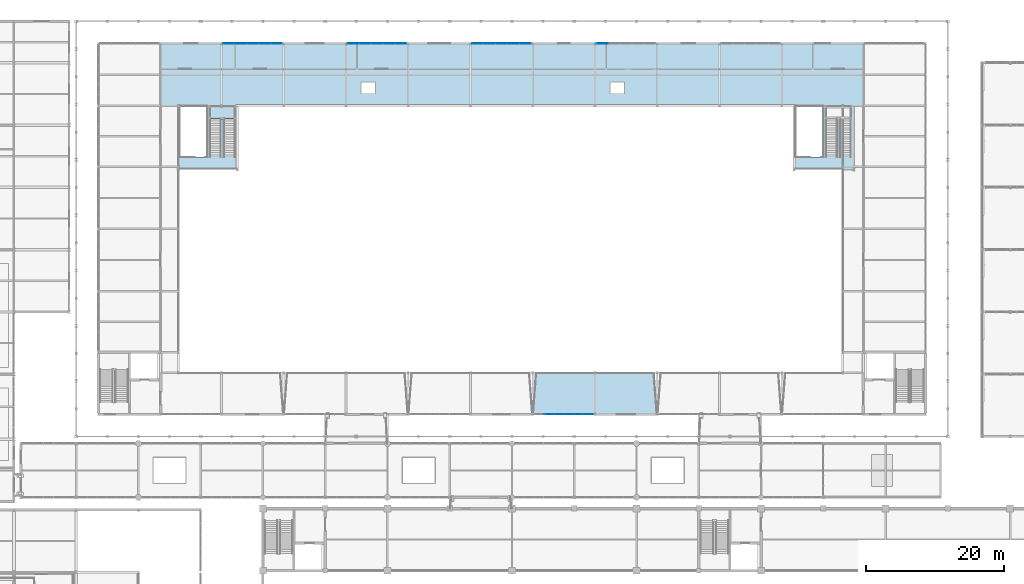
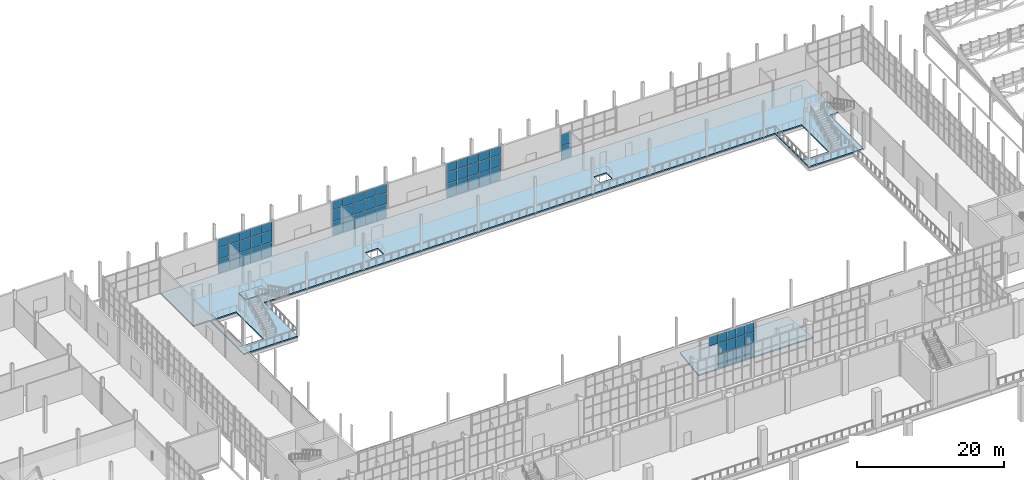
# One storey, part 106 of 159: 60 plates, 3 slabs, 6 elements without a shape of their own.
"""IFC4 building model written with IfcOpenShell, lengths in metres."""

from ifc_helpers import new_model, si_unit, direction, frame, origin, origin_2d, place, context, subcontext, project, spatial, polyline, rectangle, outline, extrude, material, layer, layer_set, type_object, element, aggregate, save


model = new_model("IFC4")

# Units and contexts
model_context = context("Model", 3, precision=1e-05, world=origin(), true_north=direction((0.0, 1.0)))
body_context = subcontext(model_context, "Body", "Model", "MODEL_VIEW")
ifc_project = project(units=[si_unit("LENGTHUNIT", "METRE"), si_unit("AREAUNIT", "SQUARE_METRE"), si_unit("VOLUMEUNIT", "CUBIC_METRE"), si_unit("PLANEANGLEUNIT", "RADIAN"), si_unit("MASSUNIT", "GRAM", prefix="KILO")], contexts=[model_context])

# Site, building, storey
site_placement = place(None, origin())
site = spatial("IfcSite", under=ifc_project, at=site_placement, CompositionType="ELEMENT")
building_placement = place(site_placement, origin())
building = spatial("IfcBuilding", under=site, at=building_placement, Name="Cazmaro Siding Exhibition Halls", CompositionType="ELEMENT")
storey_placement = place(building_placement, frame((0.0, 0.0, 6.0)))
storey = spatial("IfcBuildingStorey", under=building, at=storey_placement, Name="L01", CompositionType="ELEMENT", Elevation=6.0)

# Curtain wall, plates
ifc_material_1 = material(Name="Anodized Bronze Aluminum and Solar-Control Low-E Glazing", Category="aluminium")
ifc_layer_1 = layer(ifc_material_1, 0.179931640625)
ifc_layer_set_1 = layer_set([ifc_layer_1], Name="Anodized Bronze Aluminum and Solar-Control Low-E Glazing")
curtain_wall_type_1 = type_object("IfcCurtainWallType", Name="CWS-01", PredefinedType="USERDEFINED", material=ifc_layer_set_1)
curtain_wall_1_placement = place(storey_placement, origin())
curtain_wall_1 = element("IfcCurtainWall", 1, at=curtain_wall_1_placement, inside=storey, type_object=curtain_wall_type_1, Name="Glazed Curtain Wall CWS-01 CW-028", ObjectType="GLAZED CURTAIN WALL", PredefinedType="USERDEFINED")
ifc_material_2 = material(Name="Solar-Control Low-E Double Insulating Glass", Category="glass")
ifc_layer_2 = layer(ifc_material_2, 0.02392578125)
ifc_layer_set_2 = layer_set([ifc_layer_2], Name="Solar-Control Low-E Double Insulating Glass")
plate_type_1 = type_object("IfcPlateType", Name="CWP-01", PredefinedType="CURTAIN_PANEL", material=ifc_layer_set_2)
plate_1_placement = place(storey_placement, frame((113.348388671875, 67.199951171875, 4.22998046875), z_axis=(0.0, 0.0, 1.0), x_axis=(1.0, 0.0, 0.0)))
plate_1 = element("IfcPlate", 2, at=plate_1_placement, type_object=plate_type_1, Name="CWS-01 panel 2.3", PredefinedType="CURTAIN_PANEL", context=body_context, shape_type="SweptSolid", body=[
    extrude(rectangle(XDim=1.374267578125, YDim=0.02392578125, at=origin_2d()), origin(), (0.0, 0.0, 1.0), 1.489990234375),
])
plate_2_placement = place(storey_placement, frame((114.78271484375, 67.199951171875, 0.06005859375), z_axis=(0.0, 0.0, 1.0), x_axis=(1.0, 0.0, 0.0)))
plate_2 = element("IfcPlate", 3, at=plate_2_placement, type_object=plate_type_1, Name="CWS-01 panel 3.1", PredefinedType="CURTAIN_PANEL", context=body_context, shape_type="SweptSolid", body=[
    extrude(rectangle(XDim=1.374267578125, YDim=0.02392578125, at=origin_2d()), origin(), (0.0, 0.0, 1.0), 2.31005859375),
])
plate_3_placement = place(storey_placement, frame((114.78271484375, 67.199951171875, 2.43017578125), z_axis=(0.0, 0.0, 1.0), x_axis=(1.0, 0.0, 0.0)))
plate_3 = element("IfcPlate", 4, at=plate_3_placement, type_object=plate_type_1, Name="CWS-01 panel 3.2", PredefinedType="CURTAIN_PANEL", context=body_context, shape_type="SweptSolid", body=[
    extrude(rectangle(XDim=1.374267578125, YDim=0.02392578125, at=origin_2d()), origin(), (0.0, 0.0, 1.0), 1.739990234375),
])
plate_4_placement = place(storey_placement, frame((114.78271484375, 67.199951171875, 4.22998046875), z_axis=(0.0, 0.0, 1.0), x_axis=(1.0, 0.0, 0.0)))
plate_4 = element("IfcPlate", 5, at=plate_4_placement, type_object=plate_type_1, Name="CWS-01 panel 3.3", PredefinedType="CURTAIN_PANEL", context=body_context, shape_type="SweptSolid", body=[
    extrude(rectangle(XDim=1.374267578125, YDim=0.02392578125, at=origin_2d()), origin(), (0.0, 0.0, 1.0), 1.489990234375),
])
plate_5_placement = place(storey_placement, frame((116.21728515625, 67.199951171875, 0.06005859375), z_axis=(0.0, 0.0, 1.0), x_axis=(1.0, 0.0, 0.0)))
plate_5 = element("IfcPlate", 6, at=plate_5_placement, type_object=plate_type_1, Name="CWS-01 panel 4.1", PredefinedType="CURTAIN_PANEL", context=body_context, shape_type="SweptSolid", body=[
    extrude(rectangle(XDim=1.374267578125, YDim=0.02392578125, at=origin_2d()), origin(), (0.0, 0.0, 1.0), 2.31005859375),
])
plate_6_placement = place(storey_placement, frame((116.21728515625, 67.199951171875, 2.43017578125), z_axis=(0.0, 0.0, 1.0), x_axis=(1.0, 0.0, 0.0)))
plate_6 = element("IfcPlate", 7, at=plate_6_placement, type_object=plate_type_1, Name="CWS-01 panel 4.2", PredefinedType="CURTAIN_PANEL", context=body_context, shape_type="SweptSolid", body=[
    extrude(rectangle(XDim=1.374267578125, YDim=0.02392578125, at=origin_2d()), origin(), (0.0, 0.0, 1.0), 1.739990234375),
])
plate_7_placement = place(storey_placement, frame((116.21728515625, 67.199951171875, 4.22998046875), z_axis=(0.0, 0.0, 1.0), x_axis=(1.0, 0.0, 0.0)))
plate_7 = element("IfcPlate", 8, at=plate_7_placement, type_object=plate_type_1, Name="CWS-01 panel 4.3", PredefinedType="CURTAIN_PANEL", context=body_context, shape_type="SweptSolid", body=[
    extrude(rectangle(XDim=1.374267578125, YDim=0.02392578125, at=origin_2d()), origin(), (0.0, 0.0, 1.0), 1.489990234375),
])
plate_8_placement = place(storey_placement, frame((117.651611328125, 67.199951171875, 0.06005859375), z_axis=(0.0, 0.0, 1.0), x_axis=(1.0, 0.0, 0.0)))
plate_8 = element("IfcPlate", 9, at=plate_8_placement, type_object=plate_type_1, Name="CWS-01 panel 5.1", PredefinedType="CURTAIN_PANEL", context=body_context, shape_type="SweptSolid", body=[
    extrude(rectangle(XDim=1.374267578125, YDim=0.02392578125, at=origin_2d()), origin(), (0.0, 0.0, 1.0), 2.31005859375),
])
plate_9_placement = place(storey_placement, frame((117.651611328125, 67.199951171875, 2.43017578125), z_axis=(0.0, 0.0, 1.0), x_axis=(1.0, 0.0, 0.0)))
plate_9 = element("IfcPlate", 10, at=plate_9_placement, type_object=plate_type_1, Name="CWS-01 panel 5.2", PredefinedType="CURTAIN_PANEL", context=body_context, shape_type="SweptSolid", body=[
    extrude(rectangle(XDim=1.374267578125, YDim=0.02392578125, at=origin_2d()), origin(), (0.0, 0.0, 1.0), 1.739990234375),
])
plate_10_placement = place(storey_placement, frame((117.651611328125, 67.199951171875, 4.22998046875), z_axis=(0.0, 0.0, 1.0), x_axis=(1.0, 0.0, 0.0)))
plate_10 = element("IfcPlate", 11, at=plate_10_placement, type_object=plate_type_1, Name="CWS-01 panel 5.3", PredefinedType="CURTAIN_PANEL", context=body_context, shape_type="SweptSolid", body=[
    extrude(rectangle(XDim=1.374267578125, YDim=0.02392578125, at=origin_2d()), origin(), (0.0, 0.0, 1.0), 1.489990234375),
])
plate_11_placement = place(storey_placement, frame((119.07080078125, 67.199951171875, 0.06005859375), z_axis=(0.0, 0.0, 1.0), x_axis=(1.0, 0.0, 0.0)))
plate_11 = element("IfcPlate", 12, at=plate_11_placement, type_object=plate_type_1, Name="CWS-01 panel 6.1", PredefinedType="CURTAIN_PANEL", context=body_context, shape_type="SweptSolid", body=[
    extrude(rectangle(XDim=1.34423828125, YDim=0.02392578125, at=origin_2d()), origin(), (0.0, 0.0, 1.0), 2.31005859375),
])
plate_12_placement = place(storey_placement, frame((119.07080078125, 67.199951171875, 2.43017578125), z_axis=(0.0, 0.0, 1.0), x_axis=(1.0, 0.0, 0.0)))
plate_12 = element("IfcPlate", 13, at=plate_12_placement, type_object=plate_type_1, Name="CWS-01 panel 6.2", PredefinedType="CURTAIN_PANEL", context=body_context, shape_type="SweptSolid", body=[
    extrude(rectangle(XDim=1.34423828125, YDim=0.02392578125, at=origin_2d()), origin(), (0.0, 0.0, 1.0), 1.739990234375),
])
plate_13_placement = place(storey_placement, frame((119.07080078125, 67.199951171875, 4.22998046875), z_axis=(0.0, 0.0, 1.0), x_axis=(1.0, 0.0, 0.0)))
plate_13 = element("IfcPlate", 14, at=plate_13_placement, type_object=plate_type_1, Name="CWS-01 panel 6.3", PredefinedType="CURTAIN_PANEL", context=body_context, shape_type="SweptSolid", body=[
    extrude(rectangle(XDim=1.34423828125, YDim=0.02392578125, at=origin_2d()), origin(), (0.0, 0.0, 1.0), 1.489990234375),
])
aggregate(curtain_wall_1, [plate_1, plate_2, plate_3, plate_4, plate_5, plate_6, plate_7, plate_8, plate_9, plate_10, plate_11, plate_12, plate_13])

ifc_material_3 = material(Name="Anodized Bronze Aluminum and Solar-Control Low-E Glazing", Category="aluminium")
ifc_layer_3 = layer(ifc_material_3, 0.199951171875)
ifc_layer_set_3 = layer_set([ifc_layer_3], Name="Anodized Bronze Aluminum and Solar-Control Low-E Glazing")
curtain_wall_type_2 = type_object("IfcCurtainWallType", Name="CWS-02", PredefinedType="USERDEFINED", material=ifc_layer_set_3)
curtain_wall_2_placement = place(storey_placement, origin())
curtain_wall_2 = element("IfcCurtainWall", 15, at=curtain_wall_2_placement, inside=storey, type_object=curtain_wall_type_2, Name="Glazed Curtain Wall CWS-02 CW-009", ObjectType="GLAZED CURTAIN WALL", PredefinedType="USERDEFINED")
ifc_material_4 = material(Name="Solar-Control Low-E Double Insulating Glass", Category="glass")
ifc_layer_4 = layer(ifc_material_4, 0.035888671875)
ifc_layer_set_4 = layer_set([ifc_layer_4], Name="Solar-Control Low-E Double Insulating Glass")
plate_type_2 = type_object("IfcPlateType", Name="CWP-02", PredefinedType="CURTAIN_PANEL", material=ifc_layer_set_4)
plate_14_placement = place(storey_placement, frame((73.92626953125, 120.800048828125, 0.06494140625), z_axis=(0.0, 0.0, 1.0), x_axis=(-1.0, 0.0, 0.0)))
plate_14 = element("IfcPlate", 16, at=plate_14_placement, type_object=plate_type_2, Name="CWS-02 panel 1.1", PredefinedType="CURTAIN_PANEL", context=body_context, shape_type="SweptSolid", body=[
    extrude(rectangle(XDim=1.623779296875, YDim=0.035888671875, at=origin_2d()), origin(), (0.0, 0.0, 1.0), 2.302490234375),
])
plate_15_placement = place(storey_placement, frame((73.92626953125, 120.800048828125, 2.4326171875), z_axis=(0.0, 0.0, 1.0), x_axis=(-1.0, 0.0, 0.0)))
plate_15 = element("IfcPlate", 17, at=plate_15_placement, type_object=plate_type_2, Name="CWS-02 panel 1.2", PredefinedType="CURTAIN_PANEL", context=body_context, shape_type="SweptSolid", body=[
    extrude(rectangle(XDim=1.623779296875, YDim=0.035888671875, at=origin_2d()), origin(), (0.0, 0.0, 1.0), 1.8349609375),
])
plate_16_placement = place(storey_placement, frame((73.92626953125, 120.800048828125, 4.33251953125), z_axis=(0.0, 0.0, 1.0), x_axis=(-1.0, 0.0, 0.0)))
plate_16 = element("IfcPlate", 18, at=plate_16_placement, type_object=plate_type_2, Name="CWS-02 panel 1.3", PredefinedType="CURTAIN_PANEL", context=body_context, shape_type="SweptSolid", body=[
    extrude(rectangle(XDim=1.623779296875, YDim=0.035888671875, at=origin_2d()), origin(), (0.0, 0.0, 1.0), 1.382568359375),
])
plate_17_placement = place(storey_placement, frame((72.22119140625, 120.800048828125, 0.06494140625), z_axis=(0.0, 0.0, 1.0), x_axis=(-1.0, 0.0, 0.0)))
plate_17 = element("IfcPlate", 19, at=plate_17_placement, type_object=plate_type_2, Name="CWS-02 panel 2.1", PredefinedType="CURTAIN_PANEL", context=body_context, shape_type="SweptSolid", body=[
    extrude(rectangle(XDim=1.65625, YDim=0.035888671875, at=origin_2d()), origin(), (0.0, 0.0, 1.0), 2.302490234375),
])
plate_18_placement = place(storey_placement, frame((72.22119140625, 120.800048828125, 2.4326171875), z_axis=(0.0, 0.0, 1.0), x_axis=(-1.0, 0.0, 0.0)))
plate_18 = element("IfcPlate", 20, at=plate_18_placement, type_object=plate_type_2, Name="CWS-02 panel 2.2", PredefinedType="CURTAIN_PANEL", context=body_context, shape_type="SweptSolid", body=[
    extrude(rectangle(XDim=1.65625, YDim=0.035888671875, at=origin_2d()), origin(), (0.0, 0.0, 1.0), 1.8349609375),
])
plate_19_placement = place(storey_placement, frame((72.22119140625, 120.800048828125, 4.33251953125), z_axis=(0.0, 0.0, 1.0), x_axis=(-1.0, 0.0, 0.0)))
plate_19 = element("IfcPlate", 21, at=plate_19_placement, type_object=plate_type_2, Name="CWS-02 panel 2.3", PredefinedType="CURTAIN_PANEL", context=body_context, shape_type="SweptSolid", body=[
    extrude(rectangle(XDim=1.65625, YDim=0.035888671875, at=origin_2d()), origin(), (0.0, 0.0, 1.0), 1.382568359375),
])
plate_20_placement = place(storey_placement, frame((70.5, 120.800048828125, 0.06494140625), z_axis=(0.0, 0.0, 1.0), x_axis=(-1.0, 0.0, 0.0)))
plate_20 = element("IfcPlate", 22, at=plate_20_placement, type_object=plate_type_2, Name="CWS-02 panel 3.1", PredefinedType="CURTAIN_PANEL", context=body_context, shape_type="SweptSolid", body=[
    extrude(rectangle(XDim=1.65625, YDim=0.035888671875, at=origin_2d()), origin(), (0.0, 0.0, 1.0), 2.302490234375),
])
plate_21_placement = place(storey_placement, frame((70.5, 120.800048828125, 2.4326171875), z_axis=(0.0, 0.0, 1.0), x_axis=(-1.0, 0.0, 0.0)))
plate_21 = element("IfcPlate", 23, at=plate_21_placement, type_object=plate_type_2, Name="CWS-02 panel 3.2", PredefinedType="CURTAIN_PANEL", context=body_context, shape_type="SweptSolid", body=[
    extrude(rectangle(XDim=1.65625, YDim=0.035888671875, at=origin_2d()), origin(), (0.0, 0.0, 1.0), 1.8349609375),
])
plate_22_placement = place(storey_placement, frame((70.5, 120.800048828125, 4.33251953125), z_axis=(0.0, 0.0, 1.0), x_axis=(-1.0, 0.0, 0.0)))
plate_22 = element("IfcPlate", 24, at=plate_22_placement, type_object=plate_type_2, Name="CWS-02 panel 3.3", PredefinedType="CURTAIN_PANEL", context=body_context, shape_type="SweptSolid", body=[
    extrude(rectangle(XDim=1.65625, YDim=0.035888671875, at=origin_2d()), origin(), (0.0, 0.0, 1.0), 1.382568359375),
])
plate_23_placement = place(storey_placement, frame((68.77880859375, 120.800048828125, 0.06494140625), z_axis=(0.0, 0.0, 1.0), x_axis=(-1.0, 0.0, 0.0)))
plate_23 = element("IfcPlate", 25, at=plate_23_placement, type_object=plate_type_2, Name="CWS-02 panel 4.1", PredefinedType="CURTAIN_PANEL", context=body_context, shape_type="SweptSolid", body=[
    extrude(rectangle(XDim=1.65625, YDim=0.035888671875, at=origin_2d()), origin(), (0.0, 0.0, 1.0), 2.302490234375),
])
plate_24_placement = place(storey_placement, frame((68.77880859375, 120.800048828125, 2.4326171875), z_axis=(0.0, 0.0, 1.0), x_axis=(-1.0, 0.0, 0.0)))
plate_24 = element("IfcPlate", 26, at=plate_24_placement, type_object=plate_type_2, Name="CWS-02 panel 4.2", PredefinedType="CURTAIN_PANEL", context=body_context, shape_type="SweptSolid", body=[
    extrude(rectangle(XDim=1.65625, YDim=0.035888671875, at=origin_2d()), origin(), (0.0, 0.0, 1.0), 1.8349609375),
])
plate_25_placement = place(storey_placement, frame((68.77880859375, 120.800048828125, 4.33251953125), z_axis=(0.0, 0.0, 1.0), x_axis=(-1.0, 0.0, 0.0)))
plate_25 = element("IfcPlate", 27, at=plate_25_placement, type_object=plate_type_2, Name="CWS-02 panel 4.3", PredefinedType="CURTAIN_PANEL", context=body_context, shape_type="SweptSolid", body=[
    extrude(rectangle(XDim=1.65625, YDim=0.035888671875, at=origin_2d()), origin(), (0.0, 0.0, 1.0), 1.382568359375),
])
plate_26_placement = place(storey_placement, frame((67.07373046875, 120.800048828125, 0.06494140625), z_axis=(0.0, 0.0, 1.0), x_axis=(-1.0, 0.0, 0.0)))
plate_26 = element("IfcPlate", 28, at=plate_26_placement, type_object=plate_type_2, Name="CWS-02 panel 5.1", PredefinedType="CURTAIN_PANEL", context=body_context, shape_type="SweptSolid", body=[
    extrude(rectangle(XDim=1.623779296875, YDim=0.035888671875, at=origin_2d()), origin(), (0.0, 0.0, 1.0), 2.302490234375),
])
plate_27_placement = place(storey_placement, frame((67.07373046875, 120.800048828125, 2.4326171875), z_axis=(0.0, 0.0, 1.0), x_axis=(-1.0, 0.0, 0.0)))
plate_27 = element("IfcPlate", 29, at=plate_27_placement, type_object=plate_type_2, Name="CWS-02 panel 5.2", PredefinedType="CURTAIN_PANEL", context=body_context, shape_type="SweptSolid", body=[
    extrude(rectangle(XDim=1.623779296875, YDim=0.035888671875, at=origin_2d()), origin(), (0.0, 0.0, 1.0), 1.8349609375),
])
plate_28_placement = place(storey_placement, frame((67.07373046875, 120.800048828125, 4.33251953125), z_axis=(0.0, 0.0, 1.0), x_axis=(-1.0, 0.0, 0.0)))
plate_28 = element("IfcPlate", 30, at=plate_28_placement, type_object=plate_type_2, Name="CWS-02 panel 5.3", PredefinedType="CURTAIN_PANEL", context=body_context, shape_type="SweptSolid", body=[
    extrude(rectangle(XDim=1.623779296875, YDim=0.035888671875, at=origin_2d()), origin(), (0.0, 0.0, 1.0), 1.382568359375),
])
aggregate(curtain_wall_2, [plate_14, plate_15, plate_16, plate_17, plate_18, plate_19, plate_20, plate_21, plate_22, plate_23, plate_24, plate_25, plate_26, plate_27, plate_28])

curtain_wall_3_placement = place(storey_placement, origin())
curtain_wall_3 = element("IfcCurtainWall", 31, at=curtain_wall_3_placement, inside=storey, type_object=curtain_wall_type_2, Name="Glazed Curtain Wall CWS-02 CW-017", ObjectType="GLAZED CURTAIN WALL", PredefinedType="USERDEFINED")
plate_29_placement = place(storey_placement, frame((91.92626953125, 120.800048828125, 0.06494140625), z_axis=(0.0, 0.0, 1.0), x_axis=(-1.0, 0.0, 0.0)))
plate_29 = element("IfcPlate", 32, at=plate_29_placement, type_object=plate_type_2, Name="CWS-02 panel 1.1", PredefinedType="CURTAIN_PANEL", context=body_context, shape_type="SweptSolid", body=[
    extrude(rectangle(XDim=1.623779296875, YDim=0.035888671875, at=origin_2d()), origin(), (0.0, 0.0, 1.0), 2.302490234375),
])
plate_30_placement = place(storey_placement, frame((91.92626953125, 120.800048828125, 2.4326171875), z_axis=(0.0, 0.0, 1.0), x_axis=(-1.0, 0.0, 0.0)))
plate_30 = element("IfcPlate", 33, at=plate_30_placement, type_object=plate_type_2, Name="CWS-02 panel 1.2", PredefinedType="CURTAIN_PANEL", context=body_context, shape_type="SweptSolid", body=[
    extrude(rectangle(XDim=1.623779296875, YDim=0.035888671875, at=origin_2d()), origin(), (0.0, 0.0, 1.0), 1.8349609375),
])
plate_31_placement = place(storey_placement, frame((91.92626953125, 120.800048828125, 4.33251953125), z_axis=(0.0, 0.0, 1.0), x_axis=(-1.0, 0.0, 0.0)))
plate_31 = element("IfcPlate", 34, at=plate_31_placement, type_object=plate_type_2, Name="CWS-02 panel 1.3", PredefinedType="CURTAIN_PANEL", context=body_context, shape_type="SweptSolid", body=[
    extrude(rectangle(XDim=1.623779296875, YDim=0.035888671875, at=origin_2d()), origin(), (0.0, 0.0, 1.0), 1.382568359375),
])
plate_32_placement = place(storey_placement, frame((90.22119140625, 120.800048828125, 0.06494140625), z_axis=(0.0, 0.0, 1.0), x_axis=(-1.0, 0.0, 0.0)))
plate_32 = element("IfcPlate", 35, at=plate_32_placement, type_object=plate_type_2, Name="CWS-02 panel 2.1", PredefinedType="CURTAIN_PANEL", context=body_context, shape_type="SweptSolid", body=[
    extrude(rectangle(XDim=1.65625, YDim=0.035888671875, at=origin_2d()), origin(), (0.0, 0.0, 1.0), 2.302490234375),
])
plate_33_placement = place(storey_placement, frame((90.22119140625, 120.800048828125, 2.4326171875), z_axis=(0.0, 0.0, 1.0), x_axis=(-1.0, 0.0, 0.0)))
plate_33 = element("IfcPlate", 36, at=plate_33_placement, type_object=plate_type_2, Name="CWS-02 panel 2.2", PredefinedType="CURTAIN_PANEL", context=body_context, shape_type="SweptSolid", body=[
    extrude(rectangle(XDim=1.65625, YDim=0.035888671875, at=origin_2d()), origin(), (0.0, 0.0, 1.0), 1.8349609375),
])
plate_34_placement = place(storey_placement, frame((90.22119140625, 120.800048828125, 4.33251953125), z_axis=(0.0, 0.0, 1.0), x_axis=(-1.0, 0.0, 0.0)))
plate_34 = element("IfcPlate", 37, at=plate_34_placement, type_object=plate_type_2, Name="CWS-02 panel 2.3", PredefinedType="CURTAIN_PANEL", context=body_context, shape_type="SweptSolid", body=[
    extrude(rectangle(XDim=1.65625, YDim=0.035888671875, at=origin_2d()), origin(), (0.0, 0.0, 1.0), 1.382568359375),
])
plate_35_placement = place(storey_placement, frame((88.5, 120.800048828125, 0.06494140625), z_axis=(0.0, 0.0, 1.0), x_axis=(-1.0, 0.0, 0.0)))
plate_35 = element("IfcPlate", 38, at=plate_35_placement, type_object=plate_type_2, Name="CWS-02 panel 3.1", PredefinedType="CURTAIN_PANEL", context=body_context, shape_type="SweptSolid", body=[
    extrude(rectangle(XDim=1.65625, YDim=0.035888671875, at=origin_2d()), origin(), (0.0, 0.0, 1.0), 2.302490234375),
])
plate_36_placement = place(storey_placement, frame((88.5, 120.800048828125, 2.4326171875), z_axis=(0.0, 0.0, 1.0), x_axis=(-1.0, 0.0, 0.0)))
plate_36 = element("IfcPlate", 39, at=plate_36_placement, type_object=plate_type_2, Name="CWS-02 panel 3.2", PredefinedType="CURTAIN_PANEL", context=body_context, shape_type="SweptSolid", body=[
    extrude(rectangle(XDim=1.65625, YDim=0.035888671875, at=origin_2d()), origin(), (0.0, 0.0, 1.0), 1.8349609375),
])
plate_37_placement = place(storey_placement, frame((88.5, 120.800048828125, 4.33251953125), z_axis=(0.0, 0.0, 1.0), x_axis=(-1.0, 0.0, 0.0)))
plate_37 = element("IfcPlate", 40, at=plate_37_placement, type_object=plate_type_2, Name="CWS-02 panel 3.3", PredefinedType="CURTAIN_PANEL", context=body_context, shape_type="SweptSolid", body=[
    extrude(rectangle(XDim=1.65625, YDim=0.035888671875, at=origin_2d()), origin(), (0.0, 0.0, 1.0), 1.382568359375),
])
plate_38_placement = place(storey_placement, frame((86.77880859375, 120.800048828125, 0.06494140625), z_axis=(0.0, 0.0, 1.0), x_axis=(-1.0, 0.0, 0.0)))
plate_38 = element("IfcPlate", 41, at=plate_38_placement, type_object=plate_type_2, Name="CWS-02 panel 4.1", PredefinedType="CURTAIN_PANEL", context=body_context, shape_type="SweptSolid", body=[
    extrude(rectangle(XDim=1.65625, YDim=0.035888671875, at=origin_2d()), origin(), (0.0, 0.0, 1.0), 2.302490234375),
])
plate_39_placement = place(storey_placement, frame((86.77880859375, 120.800048828125, 2.4326171875), z_axis=(0.0, 0.0, 1.0), x_axis=(-1.0, 0.0, 0.0)))
plate_39 = element("IfcPlate", 42, at=plate_39_placement, type_object=plate_type_2, Name="CWS-02 panel 4.2", PredefinedType="CURTAIN_PANEL", context=body_context, shape_type="SweptSolid", body=[
    extrude(rectangle(XDim=1.65625, YDim=0.035888671875, at=origin_2d()), origin(), (0.0, 0.0, 1.0), 1.8349609375),
])
plate_40_placement = place(storey_placement, frame((86.77880859375, 120.800048828125, 4.33251953125), z_axis=(0.0, 0.0, 1.0), x_axis=(-1.0, 0.0, 0.0)))
plate_40 = element("IfcPlate", 43, at=plate_40_placement, type_object=plate_type_2, Name="CWS-02 panel 4.3", PredefinedType="CURTAIN_PANEL", context=body_context, shape_type="SweptSolid", body=[
    extrude(rectangle(XDim=1.65625, YDim=0.035888671875, at=origin_2d()), origin(), (0.0, 0.0, 1.0), 1.382568359375),
])
plate_41_placement = place(storey_placement, frame((85.07373046875, 120.800048828125, 0.06494140625), z_axis=(0.0, 0.0, 1.0), x_axis=(-1.0, 0.0, 0.0)))
plate_41 = element("IfcPlate", 44, at=plate_41_placement, type_object=plate_type_2, Name="CWS-02 panel 5.1", PredefinedType="CURTAIN_PANEL", context=body_context, shape_type="SweptSolid", body=[
    extrude(rectangle(XDim=1.623779296875, YDim=0.035888671875, at=origin_2d()), origin(), (0.0, 0.0, 1.0), 2.302490234375),
])
plate_42_placement = place(storey_placement, frame((85.07373046875, 120.800048828125, 2.4326171875), z_axis=(0.0, 0.0, 1.0), x_axis=(-1.0, 0.0, 0.0)))
plate_42 = element("IfcPlate", 45, at=plate_42_placement, type_object=plate_type_2, Name="CWS-02 panel 5.2", PredefinedType="CURTAIN_PANEL", context=body_context, shape_type="SweptSolid", body=[
    extrude(rectangle(XDim=1.623779296875, YDim=0.035888671875, at=origin_2d()), origin(), (0.0, 0.0, 1.0), 1.8349609375),
])
plate_43_placement = place(storey_placement, frame((85.07373046875, 120.800048828125, 4.33251953125), z_axis=(0.0, 0.0, 1.0), x_axis=(-1.0, 0.0, 0.0)))
plate_43 = element("IfcPlate", 46, at=plate_43_placement, type_object=plate_type_2, Name="CWS-02 panel 5.3", PredefinedType="CURTAIN_PANEL", context=body_context, shape_type="SweptSolid", body=[
    extrude(rectangle(XDim=1.623779296875, YDim=0.035888671875, at=origin_2d()), origin(), (0.0, 0.0, 1.0), 1.382568359375),
])
aggregate(curtain_wall_3, [plate_29, plate_30, plate_31, plate_32, plate_33, plate_34, plate_35, plate_36, plate_37, plate_38, plate_39, plate_40, plate_41, plate_42, plate_43])

curtain_wall_4_placement = place(storey_placement, origin())
curtain_wall_4 = element("IfcCurtainWall", 47, at=curtain_wall_4_placement, inside=storey, type_object=curtain_wall_type_2, Name="Glazed Curtain Wall CWS-02 CW-025", ObjectType="GLAZED CURTAIN WALL", PredefinedType="USERDEFINED")
plate_44_placement = place(storey_placement, frame((109.92626953125, 120.800048828125, 0.06494140625), z_axis=(0.0, 0.0, 1.0), x_axis=(-1.0, 0.0, 0.0)))
plate_44 = element("IfcPlate", 48, at=plate_44_placement, type_object=plate_type_2, Name="CWS-02 panel 1.1", PredefinedType="CURTAIN_PANEL", context=body_context, shape_type="SweptSolid", body=[
    extrude(rectangle(XDim=1.623779296875, YDim=0.035888671875, at=origin_2d()), origin(), (0.0, 0.0, 1.0), 2.302490234375),
])
plate_45_placement = place(storey_placement, frame((109.92626953125, 120.800048828125, 2.4326171875), z_axis=(0.0, 0.0, 1.0), x_axis=(-1.0, 0.0, 0.0)))
plate_45 = element("IfcPlate", 49, at=plate_45_placement, type_object=plate_type_2, Name="CWS-02 panel 1.2", PredefinedType="CURTAIN_PANEL", context=body_context, shape_type="SweptSolid", body=[
    extrude(rectangle(XDim=1.623779296875, YDim=0.035888671875, at=origin_2d()), origin(), (0.0, 0.0, 1.0), 1.8349609375),
])
plate_46_placement = place(storey_placement, frame((109.92626953125, 120.800048828125, 4.33251953125), z_axis=(0.0, 0.0, 1.0), x_axis=(-1.0, 0.0, 0.0)))
plate_46 = element("IfcPlate", 50, at=plate_46_placement, type_object=plate_type_2, Name="CWS-02 panel 1.3", PredefinedType="CURTAIN_PANEL", context=body_context, shape_type="SweptSolid", body=[
    extrude(rectangle(XDim=1.623779296875, YDim=0.035888671875, at=origin_2d()), origin(), (0.0, 0.0, 1.0), 1.382568359375),
])
plate_47_placement = place(storey_placement, frame((108.22119140625, 120.800048828125, 0.06494140625), z_axis=(0.0, 0.0, 1.0), x_axis=(-1.0, 0.0, 0.0)))
plate_47 = element("IfcPlate", 51, at=plate_47_placement, type_object=plate_type_2, Name="CWS-02 panel 2.1", PredefinedType="CURTAIN_PANEL", context=body_context, shape_type="SweptSolid", body=[
    extrude(rectangle(XDim=1.65625, YDim=0.035888671875, at=origin_2d()), origin(), (0.0, 0.0, 1.0), 2.302490234375),
])
plate_48_placement = place(storey_placement, frame((108.22119140625, 120.800048828125, 2.4326171875), z_axis=(0.0, 0.0, 1.0), x_axis=(-1.0, 0.0, 0.0)))
plate_48 = element("IfcPlate", 52, at=plate_48_placement, type_object=plate_type_2, Name="CWS-02 panel 2.2", PredefinedType="CURTAIN_PANEL", context=body_context, shape_type="SweptSolid", body=[
    extrude(rectangle(XDim=1.65625, YDim=0.035888671875, at=origin_2d()), origin(), (0.0, 0.0, 1.0), 1.8349609375),
])
plate_49_placement = place(storey_placement, frame((108.22119140625, 120.800048828125, 4.33251953125), z_axis=(0.0, 0.0, 1.0), x_axis=(-1.0, 0.0, 0.0)))
plate_49 = element("IfcPlate", 53, at=plate_49_placement, type_object=plate_type_2, Name="CWS-02 panel 2.3", PredefinedType="CURTAIN_PANEL", context=body_context, shape_type="SweptSolid", body=[
    extrude(rectangle(XDim=1.65625, YDim=0.035888671875, at=origin_2d()), origin(), (0.0, 0.0, 1.0), 1.382568359375),
])
plate_50_placement = place(storey_placement, frame((106.5, 120.800048828125, 0.06494140625), z_axis=(0.0, 0.0, 1.0), x_axis=(-1.0, 0.0, 0.0)))
plate_50 = element("IfcPlate", 54, at=plate_50_placement, type_object=plate_type_2, Name="CWS-02 panel 3.1", PredefinedType="CURTAIN_PANEL", context=body_context, shape_type="SweptSolid", body=[
    extrude(rectangle(XDim=1.65625, YDim=0.035888671875, at=origin_2d()), origin(), (0.0, 0.0, 1.0), 2.302490234375),
])
plate_51_placement = place(storey_placement, frame((106.5, 120.800048828125, 2.4326171875), z_axis=(0.0, 0.0, 1.0), x_axis=(-1.0, 0.0, 0.0)))
plate_51 = element("IfcPlate", 55, at=plate_51_placement, type_object=plate_type_2, Name="CWS-02 panel 3.2", PredefinedType="CURTAIN_PANEL", context=body_context, shape_type="SweptSolid", body=[
    extrude(rectangle(XDim=1.65625, YDim=0.035888671875, at=origin_2d()), origin(), (0.0, 0.0, 1.0), 1.8349609375),
])
plate_52_placement = place(storey_placement, frame((106.5, 120.800048828125, 4.33251953125), z_axis=(0.0, 0.0, 1.0), x_axis=(-1.0, 0.0, 0.0)))
plate_52 = element("IfcPlate", 56, at=plate_52_placement, type_object=plate_type_2, Name="CWS-02 panel 3.3", PredefinedType="CURTAIN_PANEL", context=body_context, shape_type="SweptSolid", body=[
    extrude(rectangle(XDim=1.65625, YDim=0.035888671875, at=origin_2d()), origin(), (0.0, 0.0, 1.0), 1.382568359375),
])
plate_53_placement = place(storey_placement, frame((104.77880859375, 120.800048828125, 0.06494140625), z_axis=(0.0, 0.0, 1.0), x_axis=(-1.0, 0.0, 0.0)))
plate_53 = element("IfcPlate", 57, at=plate_53_placement, type_object=plate_type_2, Name="CWS-02 panel 4.1", PredefinedType="CURTAIN_PANEL", context=body_context, shape_type="SweptSolid", body=[
    extrude(rectangle(XDim=1.65625, YDim=0.035888671875, at=origin_2d()), origin(), (0.0, 0.0, 1.0), 2.302490234375),
])
plate_54_placement = place(storey_placement, frame((104.77880859375, 120.800048828125, 2.4326171875), z_axis=(0.0, 0.0, 1.0), x_axis=(-1.0, 0.0, 0.0)))
plate_54 = element("IfcPlate", 58, at=plate_54_placement, type_object=plate_type_2, Name="CWS-02 panel 4.2", PredefinedType="CURTAIN_PANEL", context=body_context, shape_type="SweptSolid", body=[
    extrude(rectangle(XDim=1.65625, YDim=0.035888671875, at=origin_2d()), origin(), (0.0, 0.0, 1.0), 1.8349609375),
])
plate_55_placement = place(storey_placement, frame((104.77880859375, 120.800048828125, 4.33251953125), z_axis=(0.0, 0.0, 1.0), x_axis=(-1.0, 0.0, 0.0)))
plate_55 = element("IfcPlate", 59, at=plate_55_placement, type_object=plate_type_2, Name="CWS-02 panel 4.3", PredefinedType="CURTAIN_PANEL", context=body_context, shape_type="SweptSolid", body=[
    extrude(rectangle(XDim=1.65625, YDim=0.035888671875, at=origin_2d()), origin(), (0.0, 0.0, 1.0), 1.382568359375),
])
plate_56_placement = place(storey_placement, frame((103.07373046875, 120.800048828125, 0.06494140625), z_axis=(0.0, 0.0, 1.0), x_axis=(-1.0, 0.0, 0.0)))
plate_56 = element("IfcPlate", 60, at=plate_56_placement, type_object=plate_type_2, Name="CWS-02 panel 5.1", PredefinedType="CURTAIN_PANEL", context=body_context, shape_type="SweptSolid", body=[
    extrude(rectangle(XDim=1.623779296875, YDim=0.035888671875, at=origin_2d()), origin(), (0.0, 0.0, 1.0), 2.302490234375),
])
plate_57_placement = place(storey_placement, frame((103.07373046875, 120.800048828125, 2.4326171875), z_axis=(0.0, 0.0, 1.0), x_axis=(-1.0, 0.0, 0.0)))
plate_57 = element("IfcPlate", 61, at=plate_57_placement, type_object=plate_type_2, Name="CWS-02 panel 5.2", PredefinedType="CURTAIN_PANEL", context=body_context, shape_type="SweptSolid", body=[
    extrude(rectangle(XDim=1.623779296875, YDim=0.035888671875, at=origin_2d()), origin(), (0.0, 0.0, 1.0), 1.8349609375),
])
plate_58_placement = place(storey_placement, frame((103.07373046875, 120.800048828125, 4.33251953125), z_axis=(0.0, 0.0, 1.0), x_axis=(-1.0, 0.0, 0.0)))
plate_58 = element("IfcPlate", 62, at=plate_58_placement, type_object=plate_type_2, Name="CWS-02 panel 5.3", PredefinedType="CURTAIN_PANEL", context=body_context, shape_type="SweptSolid", body=[
    extrude(rectangle(XDim=1.623779296875, YDim=0.035888671875, at=origin_2d()), origin(), (0.0, 0.0, 1.0), 1.382568359375),
])
aggregate(curtain_wall_4, [plate_44, plate_45, plate_46, plate_47, plate_48, plate_49, plate_50, plate_51, plate_52, plate_53, plate_54, plate_55, plate_56, plate_57, plate_58])

curtain_wall_5_placement = place(storey_placement, origin())
curtain_wall_5 = element("IfcCurtainWall", 63, at=curtain_wall_5_placement, inside=storey, type_object=curtain_wall_type_2, Name="Glazed Curtain Wall CWS-02 CW-033", ObjectType="GLAZED CURTAIN WALL", PredefinedType="USERDEFINED")
plate_59_placement = place(storey_placement, frame((121.07373046875, 120.800048828125, 0.06494140625), z_axis=(0.0, 0.0, 1.0), x_axis=(-1.0, 0.0, 0.0)))
plate_59 = element("IfcPlate", 64, at=plate_59_placement, type_object=plate_type_2, Name="CWS-02 panel 5.1", PredefinedType="CURTAIN_PANEL", context=body_context, shape_type="SweptSolid", body=[
    extrude(rectangle(XDim=1.623779296875, YDim=0.035888671875, at=origin_2d()), origin(), (0.0, 0.0, 1.0), 2.302490234375),
])
plate_60_placement = place(storey_placement, frame((121.07373046875, 120.800048828125, 2.4326171875), z_axis=(0.0, 0.0, 1.0), x_axis=(-1.0, 0.0, 0.0)))
plate_60 = element("IfcPlate", 65, at=plate_60_placement, type_object=plate_type_2, Name="CWS-02 panel 5.2", PredefinedType="CURTAIN_PANEL", context=body_context, shape_type="SweptSolid", body=[
    extrude(rectangle(XDim=1.623779296875, YDim=0.035888671875, at=origin_2d()), origin(), (0.0, 0.0, 1.0), 1.8349609375),
])
aggregate(curtain_wall_5, [plate_59, plate_60])

# Slabs
ifc_material_5 = material(Name="Concrete f'c 35 MPa", Category="concrete")
ifc_layer_5 = layer(ifc_material_5, 0.219970703125)
ifc_layer_set_5 = layer_set([ifc_layer_5], Name="Concrete f'c 35 MPa")
slab_type_1 = type_object("IfcSlabType", Name="FS-01", PredefinedType="FLOOR", material=ifc_layer_set_5)
slab_1_placement = place(storey_placement, frame((0.0, 0.0, -0.219970703125)))
element("IfcSlab", 66, at=slab_1_placement, inside=storey, type_object=slab_type_1, Name="Hall A North Viewing Gallery L01 FS-01 SLB-0013", PredefinedType="FLOOR", context=body_context, shape_type="SweptSolid", body=[
    extrude(outline(polyline([(57.199951171875, 111.800048828125), (59.800048828125, 111.800048828125), (59.800048828125, 102.60009765625), (68.300048828125, 102.60009765625), (68.300048828125, 111.800048828125), (148.800048828125, 111.800048828125), (148.800048828125, 102.60009765625), (157.39990234375, 102.60009765625), (157.39990234375, 111.800048828125), (158.800048828125, 111.800048828125), (158.800048828125, 120.800048828125), (57.199951171875, 120.800048828125), (57.199951171875, 111.800048828125)]), holes=[polyline([(60.0, 104.39990234375), (63.89990234375, 104.39990234375), (63.89990234375, 111.75), (60.0, 111.75), (60.0, 104.39990234375)]), polyline([(149.0, 104.39990234375), (152.9599609375, 104.39990234375), (152.9599609375, 111.75), (149.0, 111.75), (149.0, 104.39990234375)]), polyline([(86.199951171875, 113.60009765625), (88.199951171875, 113.60009765625), (88.199951171875, 115.199951171875), (86.199951171875, 115.199951171875), (86.199951171875, 113.60009765625)]), polyline([(122.199951171875, 113.60009765625), (124.199951171875, 113.60009765625), (124.199951171875, 115.199951171875), (122.199951171875, 115.199951171875), (122.199951171875, 113.60009765625)])]), origin(), (0.0, 0.0, 1.0), 0.219970703125),
])
slab_2_placement = place(storey_placement, frame((0.0, 0.0, -0.219970703125)))
element("IfcSlab", 67, at=slab_2_placement, inside=storey, type_object=slab_type_1, Name="Hall A South Exhibitor Gallery Bay 4 L01 FS-01 SLB-0093", PredefinedType="FLOOR", context=body_context, shape_type="SweptSolid", body=[
    extrude(outline(polyline([(111.0, 67.199951171875), (129.0, 67.199951171875), (128.5, 73.199951171875), (111.5, 73.199951171875), (111.0, 67.199951171875)])), origin(), (0.0, 0.0, 1.0), 0.219970703125),
])

# Stair, slab
ifc_material_6 = material(Name="Steel ASTM A992 Grade 50 Stringers with Precast Treads", Category="concrete")
stair_type = type_object("IfcStairType", Name="STT-23", PredefinedType="TWO_STRAIGHT_RUN_STAIR", material=ifc_material_6)
stair_placement = place(storey_placement, origin())
stair = element("IfcStair", 68, at=stair_placement, inside=storey, type_object=stair_type, Name="Hall A West Feature Gallery Stair L01-L02 ST-23", PredefinedType="TWO_STRAIGHT_RUN_STAIR")
ifc_material_7 = material(Name="Concrete f'c 40 MPa", Category="concrete")
ifc_layer_6 = layer(ifc_material_7, 0.199951171875)
ifc_layer_set_6 = layer_set([ifc_layer_6], Name="Concrete f'c 40 MPa")
slab_type_2 = type_object("IfcSlabType", Name="LND-23", PredefinedType="LANDING", material=ifc_layer_set_6)
slab_3_placement = place(storey_placement, frame((0.0, 0.0, 2.800048828125)))
slab_3 = element("IfcSlab", 69, at=slab_3_placement, type_object=slab_type_2, Name="ST-23 landing 1", PredefinedType="LANDING", context=body_context, shape_type="SweptSolid", body=[
    extrude(outline(polyline([(64.300048828125, 109.89990234375), (67.97998046875, 109.89990234375), (67.97998046875, 111.780029296875), (64.300048828125, 111.780029296875), (64.300048828125, 109.89990234375)])), origin(), (0.0, 0.0, 1.0), 0.199951171875),
])
aggregate(stair, [slab_3])

save(model, "model.ifc")
